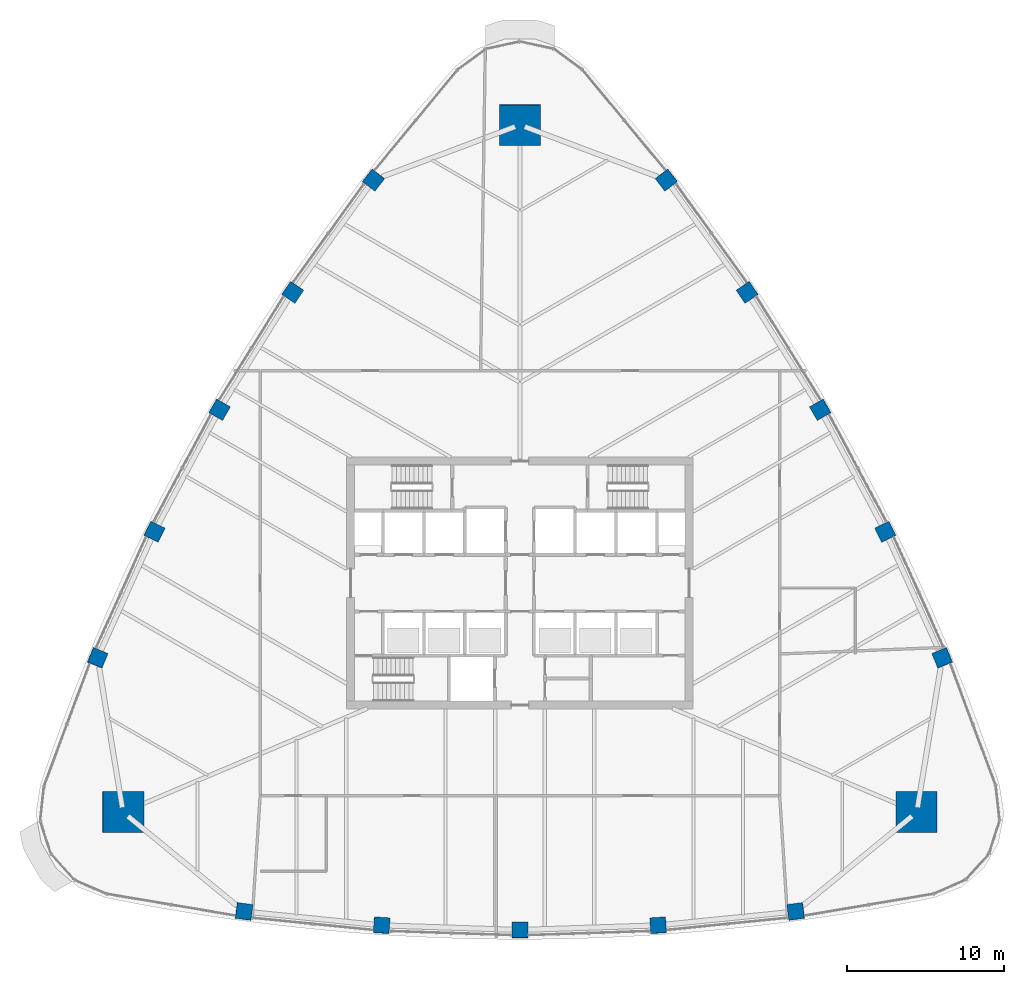
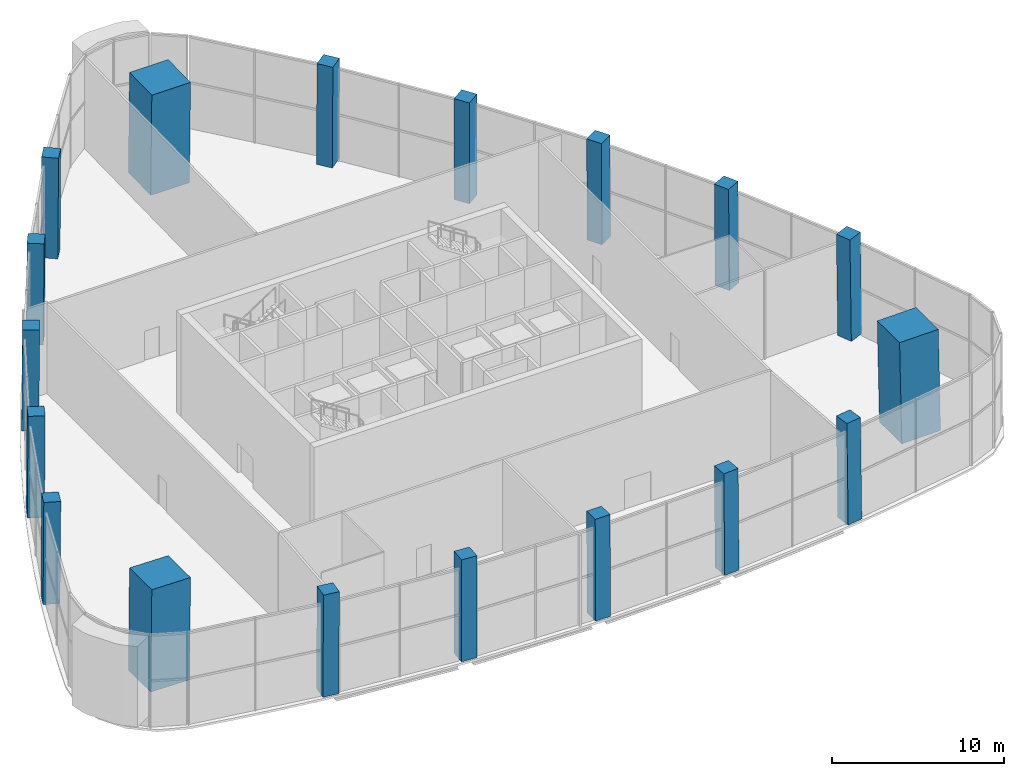
# One storey, part 1 of 15: 18 columns.
"""IFC4 building model written with IfcOpenShell, lengths in metres."""

from ifc_helpers import new_model, si_unit, direction, frame, origin, origin_2d, place, context, subcontext, project, spatial, rectangle, extrude, clip, halfspace, material, material_profile, profile_set, type_object, element, save


model = new_model("IFC4")

# Units and contexts
model_context = context("Model", 3, precision=1e-05, world=origin(), true_north=direction((0.0, 1.0)))
body_context = subcontext(model_context, "Body", "Model", "MODEL_VIEW")
ifc_project = project(units=[si_unit("LENGTHUNIT", "METRE"), si_unit("AREAUNIT", "SQUARE_METRE"), si_unit("VOLUMEUNIT", "CUBIC_METRE"), si_unit("PLANEANGLEUNIT", "RADIAN"), si_unit("MASSUNIT", "GRAM", prefix="KILO")], contexts=[model_context])

# Site, building, storey
site_placement = place(None, origin())
site = spatial("IfcSite", under=ifc_project, at=site_placement, CompositionType="ELEMENT")
building_placement = place(site_placement, origin())
building = spatial("IfcBuilding", under=site, at=building_placement, Name="Sierra Prisma Convention Tower", CompositionType="ELEMENT")
storey_placement = place(building_placement, frame((0.0, 0.0, 118.60009765625)))
storey = spatial("IfcBuildingStorey", under=building, at=storey_placement, Name="L25", CompositionType="ELEMENT", Elevation=118.60009765625)

# Columns
ifc_material_1 = material(Name="Concrete C60/75", Category="concrete")
ifc_material_profile_1 = material_profile(ifc_material_1, rectangle(XDim=2.60009765625, YDim=2.60009765625, at=origin_2d()), Name="Mega column RC 2600 C60/75")
ifc_profile_set_1 = profile_set([ifc_material_profile_1], Name="Concrete C60/75")
column_type_1 = type_object("IfcColumnType", Name="Mega column RC 2600 C60/75", PredefinedType="COLUMN", material=ifc_profile_set_1)
column_1_placement = place(storey_placement, frame((25.20849609375, -14.55419921875, 0.0), z_axis=(-0.015663232601, 0.009052127932, 0.999836347671), x_axis=(0.999877324048, 0.000141802981, 0.015662590699)))
element("IfcColumn", 1, at=column_1_placement, inside=storey, type_object=column_type_1, Name="Mega column SE L25", PredefinedType="COLUMN", context=body_context, shape_type="SweptSolid", body=[
    clip(clip(extrude(rectangle(XDim=2.60009765625, YDim=2.60009765625, at=origin_2d()), origin(), (0.0, 0.0, 1.0), 7.201171875), halfspace(frame((0.0, 0.0, 0.00341796875)), True)), halfspace(frame((0.0, 0.0, 7.18798828125)), False)),
])
column_2_placement = place(storey_placement, frame((0.0, 29.108154296875, 0.0), z_axis=(0.0, -0.01807035945, 0.999836717724), x_axis=(1.0, 0.0, 0.0)))
element("IfcColumn", 2, at=column_2_placement, inside=storey, type_object=column_type_1, Name="Mega column N L25", PredefinedType="COLUMN", context=body_context, shape_type="SweptSolid", body=[
    clip(clip(extrude(rectangle(XDim=2.60009765625, YDim=2.60009765625, at=origin_2d()), origin(), (0.0, 0.0, 1.0), 7.201171875), halfspace(frame((0.0, 0.0, 0.002685546875)), True)), halfspace(frame((0.0, 0.0, 7.19140625)), False)),
])
column_3_placement = place(storey_placement, frame((-25.20849609375, -14.55419921875, 0.0), z_axis=(0.015663232601, 0.009052127932, 0.999836347671), x_axis=(0.999877324048, -0.000141802981, -0.015662590699)))
element("IfcColumn", 3, at=column_3_placement, inside=storey, type_object=column_type_1, Name="Mega column SW L25", PredefinedType="COLUMN", context=body_context, shape_type="SweptSolid", body=[
    clip(clip(extrude(rectangle(XDim=2.60009765625, YDim=2.60009765625, at=origin_2d()), origin(), (0.0, 0.0, 1.0), 7.201171875), halfspace(frame((0.0, 0.0, 0.00341796875)), True)), halfspace(frame((0.0, 0.0, 7.18798828125)), False)),
])
ifc_material_2 = material(Name="Concrete C60/75", Category="concrete")
ifc_material_profile_2 = material_profile(ifc_material_2, rectangle(XDim=1.0, YDim=1.0, at=origin_2d()), Name="Perimeter column RC 1000 C60/75")
ifc_profile_set_2 = profile_set([ifc_material_profile_2], Name="Concrete C60/75")
column_type_2 = type_object("IfcColumnType", Name="Perimeter column RC 1000 C60/75", PredefinedType="COLUMN", material=ifc_profile_set_2)
column_4_placement = place(storey_placement, frame((-17.52685546875, -20.85888671875, 0.0), z_axis=(0.009866769044, 0.005831904727, 0.999934315721), x_axis=(-0.991039650142, 0.133264324033, 0.009001765775)))
element("IfcColumn", 4, at=column_4_placement, inside=storey, type_object=column_type_2, Name="Perimeter column S-1 L25", PredefinedType="COLUMN", context=body_context, shape_type="SweptSolid", body=[
    clip(clip(extrude(rectangle(XDim=1.0, YDim=1.0, at=origin_2d()), origin(), (0.0, 0.0, 1.0), 7.200439453125), halfspace(frame((0.0, 0.0, 0.00244140625)), True)), halfspace(frame((0.0, 0.0, 7.197021484375)), False)),
])
column_5_placement = place(storey_placement, frame((-8.782958984375, -21.738037109375, 0.0), z_axis=(0.004916599143, 0.006238994774, 0.999968450501), x_axis=(-0.997757484586, 0.066782110438, 0.004489061983)))
element("IfcColumn", 5, at=column_5_placement, inside=storey, type_object=column_type_2, Name="Perimeter column S-2 L25", PredefinedType="COLUMN", context=body_context, shape_type="SweptSolid", body=[
    clip(clip(extrude(rectangle(XDim=1.0, YDim=1.0, at=origin_2d()), origin(), (0.0, 0.0, 1.0), 7.2001953125), halfspace(frame((0.0, 0.0, 0.002197265625)), True)), halfspace(frame((0.0, 0.0, 7.19775390625)), False)),
])
column_6_placement = place(storey_placement, frame((0.0, -22.031494140625, 0.0), z_axis=(0.0, 0.006374696691, 0.999979681415), x_axis=(1.0, 0.0, 0.0)))
element("IfcColumn", 6, at=column_6_placement, inside=storey, type_object=column_type_2, Name="Perimeter column S-3 L25", PredefinedType="COLUMN", context=body_context, shape_type="SweptSolid", body=[
    clip(clip(extrude(rectangle(XDim=1.0, YDim=1.0, at=origin_2d()), origin(), (0.0, 0.0, 1.0), 7.2001953125), halfspace(frame((0.0, 0.0, 0.002197265625)), True)), halfspace(frame((0.0, 0.0, 7.198486328125)), False)),
])
column_7_placement = place(storey_placement, frame((8.782958984375, -21.738037109375, 0.0), z_axis=(-0.004916599143, 0.006238994774, 0.999968450501), x_axis=(0.997757484586, 0.066782110438, 0.004489061983)))
element("IfcColumn", 7, at=column_7_placement, inside=storey, type_object=column_type_2, Name="Perimeter column S-4 L25", PredefinedType="COLUMN", context=body_context, shape_type="SweptSolid", body=[
    clip(clip(extrude(rectangle(XDim=1.0, YDim=1.0, at=origin_2d()), origin(), (0.0, 0.0, 1.0), 7.2001953125), halfspace(frame((0.0, 0.0, 0.002197265625)), True)), halfspace(frame((0.0, 0.0, 7.19775390625)), False)),
])
for number, where, z_axis, x_axis, name in (
    (8, (17.52685546875, -20.85888671875, 0.0), (-0.009866769044, 0.005831904727, 0.999934315721), (0.991039650142, 0.133264324033, 0.009001765775), "Perimeter column S-5 L25"),
    (9, (26.82763671875, -4.749267578125, 0.0), (-0.009968489877, 0.005628467073, 0.999934472637), (-0.380162196242, 0.924876088416, -0.008995867091), "Perimeter column NE-1 L25"),
):
    element("IfcColumn", number, at=place(storey_placement, frame(where, z_axis=z_axis, x_axis=x_axis)), inside=storey, type_object=column_type_2, Name=name, PredefinedType="COLUMN", context=body_context, shape_type="SweptSolid", body=[
        clip(clip(extrude(rectangle(XDim=1.0, YDim=1.0, at=origin_2d()), origin(), (0.0, 0.0, 1.0), 7.200439453125), halfspace(frame((0.0, 0.0, 0.00244140625)), True)), halfspace(frame((0.0, 0.0, 7.197021484375)), False)),
    ])
column_8_placement = place(storey_placement, frame((23.217041015625, 3.2626953125, 0.0), z_axis=(-0.007832652687, 0.001152857971, 0.999968659744), x_axis=(-0.441061618566, 0.897465594469, -0.004489473538)))
element("IfcColumn", 10, at=column_8_placement, inside=storey, type_object=column_type_2, Name="Perimeter column NE-2 L25", PredefinedType="COLUMN", context=body_context, shape_type="SweptSolid", body=[
    clip(clip(extrude(rectangle(XDim=1.0, YDim=1.0, at=origin_2d()), origin(), (0.0, 0.0, 1.0), 7.2001953125), halfspace(frame((0.0, 0.0, 0.002197265625)), True)), halfspace(frame((0.0, 0.0, 7.19775390625)), False)),
])
column_9_placement = place(storey_placement, frame((19.079833984375, 11.015625, 0.0), z_axis=(-0.005493091126, -0.003153441202, 0.999979940678), x_axis=(-0.499992456431, 0.866029758883, -1.5530513e-05)))
element("IfcColumn", 11, at=column_9_placement, inside=storey, type_object=column_type_2, Name="Perimeter column NE-3 L25", PredefinedType="COLUMN", context=body_context, shape_type="SweptSolid", body=[
    clip(clip(extrude(rectangle(XDim=1.0, YDim=1.0, at=origin_2d()), origin(), (0.0, 0.0, 1.0), 7.2001953125), halfspace(frame((0.0, 0.0, 0.002197265625)), True)), halfspace(frame((0.0, 0.0, 7.198486328125)), False)),
])
column_10_placement = place(storey_placement, frame((14.43408203125, 18.475341796875, 0.0), z_axis=(-0.00291605184, -0.007391852339, 0.999968428082), x_axis=(-0.556692028431, 0.830706674967, 0.004517260883)))
element("IfcColumn", 12, at=column_10_placement, inside=storey, type_object=column_type_2, Name="Perimeter column NE-4 L25", PredefinedType="COLUMN", context=body_context, shape_type="SweptSolid", body=[
    clip(clip(extrude(rectangle(XDim=1.0, YDim=1.0, at=origin_2d()), origin(), (0.0, 0.0, 1.0), 7.2001953125), halfspace(frame((0.0, 0.0, 0.002197265625)), True)), halfspace(frame((0.0, 0.0, 7.19775390625)), False)),
])
for number, where, z_axis, x_axis, name in (
    (13, (9.30078125, 25.608154296875, 0.0), (-0.000101719269, -0.011460370996, 0.999934322618), (-0.610906804752, 0.791651234173, 0.009011067673), "Perimeter column NE-5 L25"),
    (14, (-9.30078125, 25.608154296875, 0.0), (0.000101719269, -0.011460370996, 0.999934322618), (0.610906804752, 0.791651234173, 0.009011067673), "Perimeter column NW-1 L25"),
):
    element("IfcColumn", number, at=place(storey_placement, frame(where, z_axis=z_axis, x_axis=x_axis)), inside=storey, type_object=column_type_2, Name=name, PredefinedType="COLUMN", context=body_context, shape_type="SweptSolid", body=[
        clip(clip(extrude(rectangle(XDim=1.0, YDim=1.0, at=origin_2d()), origin(), (0.0, 0.0, 1.0), 7.200439453125), halfspace(frame((0.0, 0.0, 0.00244140625)), True)), halfspace(frame((0.0, 0.0, 7.197021484375)), False)),
    ])
column_11_placement = place(storey_placement, frame((-14.43408203125, 18.475341796875, 0.0), z_axis=(0.00291605184, -0.007391852339, 0.999968428082), x_axis=(0.556692028431, 0.830706674967, 0.004517260883)))
element("IfcColumn", 15, at=column_11_placement, inside=storey, type_object=column_type_2, Name="Perimeter column NW-2 L25", PredefinedType="COLUMN", context=body_context, shape_type="SweptSolid", body=[
    clip(clip(extrude(rectangle(XDim=1.0, YDim=1.0, at=origin_2d()), origin(), (0.0, 0.0, 1.0), 7.2001953125), halfspace(frame((0.0, 0.0, 0.002197265625)), True)), halfspace(frame((0.0, 0.0, 7.19775390625)), False)),
])
column_12_placement = place(storey_placement, frame((-19.079833984375, 11.015625, 0.0), z_axis=(0.005493091126, -0.003153441202, 0.999979940678), x_axis=(0.499992456431, 0.866029758883, -1.5530513e-05)))
element("IfcColumn", 16, at=column_12_placement, inside=storey, type_object=column_type_2, Name="Perimeter column NW-3 L25", PredefinedType="COLUMN", context=body_context, shape_type="SweptSolid", body=[
    clip(clip(extrude(rectangle(XDim=1.0, YDim=1.0, at=origin_2d()), origin(), (0.0, 0.0, 1.0), 7.2001953125), halfspace(frame((0.0, 0.0, 0.002197265625)), True)), halfspace(frame((0.0, 0.0, 7.198486328125)), False)),
])
column_13_placement = place(storey_placement, frame((-23.217041015625, 3.2626953125, 0.0), z_axis=(0.007832652687, 0.001152857971, 0.999968659744), x_axis=(0.441061618566, 0.897465594469, -0.004489473538)))
element("IfcColumn", 17, at=column_13_placement, inside=storey, type_object=column_type_2, Name="Perimeter column NW-4 L25", PredefinedType="COLUMN", context=body_context, shape_type="SweptSolid", body=[
    clip(clip(extrude(rectangle(XDim=1.0, YDim=1.0, at=origin_2d()), origin(), (0.0, 0.0, 1.0), 7.2001953125), halfspace(frame((0.0, 0.0, 0.002197265625)), True)), halfspace(frame((0.0, 0.0, 7.19775390625)), False)),
])
column_14_placement = place(storey_placement, frame((-26.82763671875, -4.749267578125, 0.0), z_axis=(0.009968489877, 0.005628467073, 0.999934472637), x_axis=(0.380162196242, 0.924876088416, -0.008995867091)))
element("IfcColumn", 18, at=column_14_placement, inside=storey, type_object=column_type_2, Name="Perimeter column NW-5 L25", PredefinedType="COLUMN", context=body_context, shape_type="SweptSolid", body=[
    clip(clip(extrude(rectangle(XDim=1.0, YDim=1.0, at=origin_2d()), origin(), (0.0, 0.0, 1.0), 7.200439453125), halfspace(frame((0.0, 0.0, 0.00244140625)), True)), halfspace(frame((0.0, 0.0, 7.197021484375)), False)),
])

save(model, "model.ifc")
